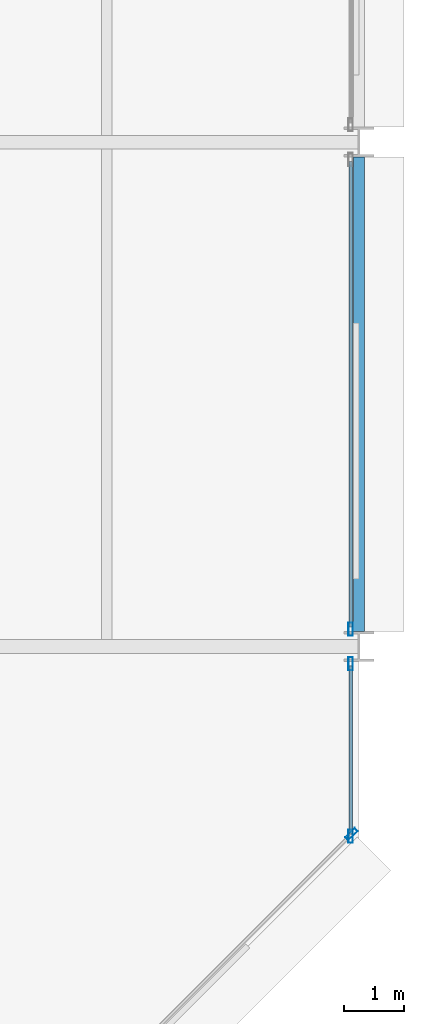
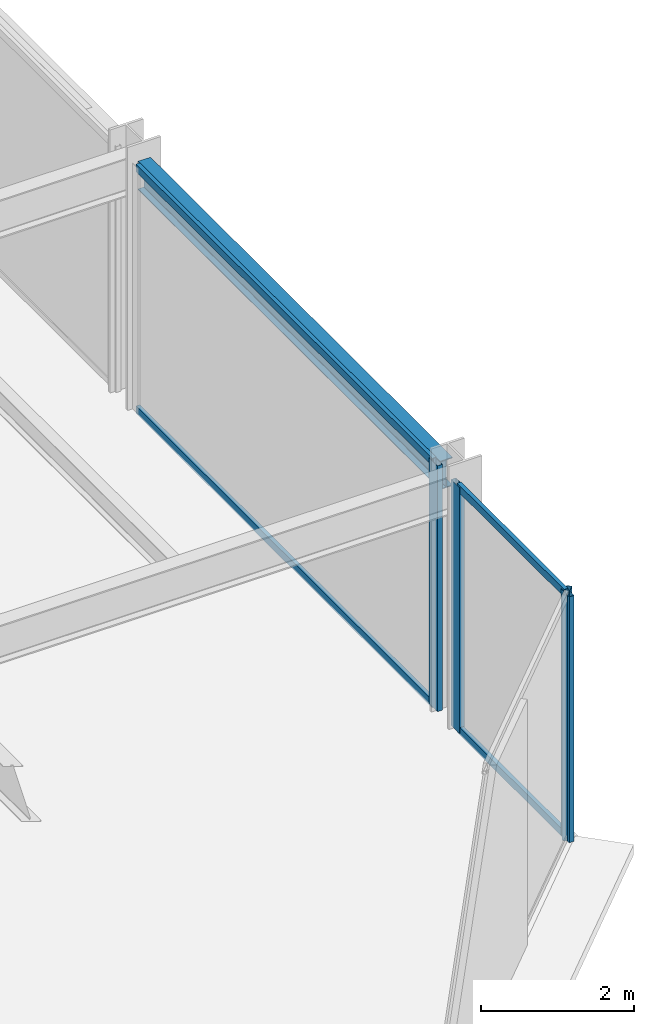
# One storey, part 11 of 25: 8 members, 1 beam, 3 elements without a shape of their own.
"""IFC4 building model written with IfcOpenShell, lengths in metres."""

import ifcopenshell
import ifcopenshell.guid

model = None  # the IFC model being written
_history = None  # IfcOwnerHistory: only IFC2X3 demands one
_inside = {}  # id of a spatial element -> (the spatial element, [elements in it])
_under = {}  # id of a project, library or spatial element -> (it, [spatial elements below it])
_declared = {}  # id of a project -> (the project, [libraries it declares])
_typed = {}  # id of a type object -> (the type object, [elements of that type])
_made_of = {}  # id of a material, layer set ... -> (it, [elements and type objects made of it])


def new_model(schema):
    """Start an empty IFC model of exactly this schema.

    Asked for "IFC4X3", IfcOpenShell would pick the latest addendum, in which some entities
    have other attributes; the version numbers below select the first issue.
    IFC2X3 requires an IfcOwnerHistory on every rooted entity: one is made here for all.
    """
    global model, _history
    if schema == "IFC4X3":
        model = ifcopenshell.file(schema_version=(4, 3, 0, 0))
    else:
        model = ifcopenshell.file(schema=schema)
    _inside.clear()
    _under.clear()
    _declared.clear()
    _typed.clear()
    _made_of.clear()
    _history = None
    if model.schema == "IFC2X3":
        org = make("IfcOrganization", Name="unknown")
        user = make(
            "IfcPersonAndOrganization",
            ThePerson=make("IfcPerson", FamilyName="unknown"),
            TheOrganization=org,
        )
        app = make(
            "IfcApplication",
            ApplicationDeveloper=org,
            Version="unknown",
            ApplicationFullName="unknown",
            ApplicationIdentifier="unknown",
        )
        _history = make(
            "IfcOwnerHistory",
            OwningUser=user,
            OwningApplication=app,
            ChangeAction="ADDED",
            CreationDate=0,
        )
    return model


def make(cls, **values):
    """One entity of the class cls with the attributes given. An attribute that is None is left unset."""
    return model.create_entity(
        cls, **{name: value for name, value in values.items() if value is not None}
    )


def rooted(cls, **values):
    """An entity with a GlobalId (a new one), such as an element, a storey or a relation."""
    return make(cls, GlobalId=ifcopenshell.guid.new(), OwnerHistory=_history, **values)


def si_unit(unit_type, name, prefix=None):
    """IfcSIUnit, for example si_unit("LENGTHUNIT", "METRE", prefix="MILLI")."""
    return make("IfcSIUnit", UnitType=unit_type, Prefix=prefix, Name=name)


def assignment(units):
    """IfcUnitAssignment: the units of a project."""
    return None if units is None else make("IfcUnitAssignment", Units=units)


def point(xyz):
    """IfcCartesianPoint."""
    return None if xyz is None else make("IfcCartesianPoint", Coordinates=xyz)


def direction(xyz):
    """IfcDirection."""
    return None if xyz is None else make("IfcDirection", DirectionRatios=xyz)


def frame(location, z_axis=None, x_axis=None):
    """IfcAxis2Placement3D, a coordinate frame: its origin and axes. An axis left out is left unset."""
    return make(
        "IfcAxis2Placement3D",
        Location=point(location),
        Axis=direction(z_axis),
        RefDirection=direction(x_axis),
    )


def frame_2d(location, x_axis=None):
    """IfcAxis2Placement2D, a coordinate frame in the plane: its origin and x axis."""
    return make(
        "IfcAxis2Placement2D", Location=point(location), RefDirection=direction(x_axis)
    )


def origin():
    """The frame at (0, 0, 0) with its axes left unset."""
    return frame((0.0, 0.0, 0.0))


def origin_2d():
    """The frame at (0, 0) in the plane with its x axis left unset."""
    return frame_2d((0.0, 0.0))


def place(relative_to, where):
    """IfcLocalPlacement: puts the frame where relative to a parent placement (None: the world)."""
    return make(
        "IfcLocalPlacement", PlacementRelTo=relative_to, RelativePlacement=where
    )


def context(
    kind, dimensions, precision=None, world=None, true_north=None, identifier=None
):
    """IfcGeometricRepresentationContext, for example the 3D "Model" context."""
    return make(
        "IfcGeometricRepresentationContext",
        ContextIdentifier=identifier,
        ContextType=kind,
        CoordinateSpaceDimension=dimensions,
        Precision=precision,
        WorldCoordinateSystem=world,
        TrueNorth=true_north,
    )


def subcontext(parent, identifier, kind, view, scale=None):
    """IfcGeometricRepresentationSubContext, for example "Body" below "Model"."""
    return make(
        "IfcGeometricRepresentationSubContext",
        ContextIdentifier=identifier,
        ContextType=kind,
        ParentContext=parent,
        TargetScale=scale,
        TargetView=view,
    )


def project(units=None, contexts=None):
    """IfcProject with its units and contexts."""
    return rooted(
        "IfcProject",
        Name="project",
        RepresentationContexts=contexts,
        UnitsInContext=assignment(units),
    )


def spatial(cls, under=None, at=None, **own):
    """A site, building, storey or space (cls), placed at a placement, below another one or the project."""
    s = rooted(cls, ObjectPlacement=at, **own)
    if under is not None:
        _under.setdefault(under.id(), (under, []))[1].append(s)
    return s


def profile(cls, at=None, kind="AREA", **sizes):
    """A parametric profile (cls). Its sizes go by their IFC names, for example OverallWidth=200.0."""
    return make(cls, ProfileType=kind, Position=at, **sizes)


def hollow_rectangle(**sizes):
    """IfcRectangleHollowProfileDef."""
    return profile("IfcRectangleHollowProfileDef", **sizes)


def i_section(**sizes):
    """IfcIShapeProfileDef."""
    return profile("IfcIShapeProfileDef", **sizes)


def extrude(swept, where, along, depth):
    """IfcExtrudedAreaSolid: the profile swept, set in the frame where, extruded along a direction by depth."""
    return make(
        "IfcExtrudedAreaSolid",
        SweptArea=swept,
        Position=where,
        ExtrudedDirection=direction(along),
        Depth=depth,
    )


def shape(context_of_items, identifier, shape_type, items):
    """IfcShapeRepresentation: the items that make up one representation, for example the "Body"."""
    return make(
        "IfcShapeRepresentation",
        ContextOfItems=context_of_items,
        RepresentationIdentifier=identifier,
        RepresentationType=shape_type,
        Items=items,
    )


def material(Name=None, Category=None):
    """IfcMaterial."""
    return make("IfcMaterial", Name=Name, Category=Category)


def layer(
    of_material, thickness, ventilated=None, Name=None, Category=None, Priority=None
):
    """IfcMaterialLayer: one layer of a wall or slab, of a material (None: an air gap)."""
    return make(
        "IfcMaterialLayer",
        Material=of_material,
        LayerThickness=thickness,
        IsVentilated=ventilated,
        Name=Name,
        Category=Category,
        Priority=Priority,
    )


def layer_set(layers, Name=None):
    """IfcMaterialLayerSet."""
    return make("IfcMaterialLayerSet", MaterialLayers=layers, LayerSetName=Name)


def material_profile(
    of_material, cross_section, Name=None, Category=None, Priority=None
):
    """IfcMaterialProfile: a cross section and its material."""
    return make(
        "IfcMaterialProfile",
        Name=Name,
        Material=of_material,
        Profile=cross_section,
        Priority=Priority,
        Category=Category,
    )


def profile_set(profiles, Name=None, composite=None):
    """IfcMaterialProfileSet."""
    return make(
        "IfcMaterialProfileSet",
        Name=Name,
        MaterialProfiles=profiles,
        CompositeProfile=composite,
    )


def made_of(thing, what):
    """Note that an element or type object is made of a material, layer set ...; save() writes the relation."""
    if what is not None:
        _made_of.setdefault(what.id(), (what, []))[1].append(thing)
    return thing


def type_object(cls, material=None, **own):
    """A type object (cls), such as IfcWallType, which elements share."""
    return made_of(rooted(cls, **own), material)


def element(
    cls,
    number,
    at=None,
    inside=None,
    cuts=None,
    type_object=None,
    material=None,
    context=None,
    identifier="Body",
    shape_type=None,
    held_by="IfcProductDefinitionShape",
    body=None,
    shapes=None,
    **own,
):
    """One element of the class cls, such as IfcWall. Its Tag is "e" and its number.

    at: its placement. inside: the storey or other place that contains it. cuts: it is an
    opening in that element (IfcRelVoidsElement). A single representation is given by context,
    identifier, shape_type and body (its items); several are given by shapes. held_by: the class
    of the entity that holds the representations. save() writes the other relations.
    """
    e = rooted(cls, Tag="e%d" % number, ObjectPlacement=at, **own)
    if body is not None:
        shapes = [shape(context, identifier, shape_type, body)]
    if shapes is not None:
        e.Representation = make(held_by, Representations=shapes)
    if inside is not None:
        _inside.setdefault(inside.id(), (inside, []))[1].append(e)
    if cuts is not None:
        rooted(
            "IfcRelVoidsElement", RelatingBuildingElement=cuts, RelatedOpeningElement=e
        )
    if type_object is not None:
        _typed.setdefault(type_object.id(), (type_object, []))[1].append(e)
    return made_of(e, material)


def aggregate(whole, parts):
    """IfcRelAggregates: a whole, such as a stair, and the parts it consists of."""
    return rooted("IfcRelAggregates", RelatingObject=whole, RelatedObjects=parts)


def save(model, path):
    """Write the relations noted so far, then the file.

    IfcRelAggregates (storeys below a building ...), IfcRelContainedInSpatialStructure (elements
    in a storey), IfcRelDefinesByType, IfcRelAssociatesMaterial and IfcRelDeclares: one each for
    every whole, place, type object, material and project.
    """
    for whole, parts in _under.values():
        aggregate(whole, parts)
    for where, things in _inside.values():
        rooted(
            "IfcRelContainedInSpatialStructure",
            RelatedElements=things,
            RelatingStructure=where,
        )
    for kind, things in _typed.values():
        rooted("IfcRelDefinesByType", RelatedObjects=things, RelatingType=kind)
    for what, things in _made_of.values():
        rooted("IfcRelAssociatesMaterial", RelatedObjects=things, RelatingMaterial=what)
    for by, libraries in _declared.values():
        rooted("IfcRelDeclares", RelatingContext=by, RelatedDefinitions=libraries)
    model.write(path)


model = new_model("IFC4")

# Units and contexts
model_context = context("Model", 3, precision=1e-05, world=origin(), true_north=direction((0.0, 1.0)))
body_context = subcontext(model_context, "Body", "Model", "MODEL_VIEW")
ifc_project = project(units=[si_unit("LENGTHUNIT", "METRE"), si_unit("AREAUNIT", "SQUARE_METRE"), si_unit("VOLUMEUNIT", "CUBIC_METRE"), si_unit("PLANEANGLEUNIT", "RADIAN"), si_unit("MASSUNIT", "GRAM", prefix="KILO")], contexts=[model_context])

# Site, building, storey
site_placement = place(None, origin())
site = spatial("IfcSite", under=ifc_project, at=site_placement, CompositionType="ELEMENT")
building_placement = place(site_placement, origin())
building = spatial("IfcBuilding", under=site, at=building_placement, Name="Nerrivon Quay Data Exchange", CompositionType="ELEMENT")
storey_placement = place(building_placement, frame((0.0, 0.0, 41.60009765625)))
storey = spatial("IfcBuildingStorey", under=building, at=storey_placement, Name="L09", CompositionType="ELEMENT", Elevation=41.60009765625)

# Beam
ifc_material_1 = material(Name="Steel Grade 350", Category="steel")
ifc_material_profile_1 = material_profile(ifc_material_1, i_section(OverallWidth=0.18994140625, OverallDepth=0.4541015625, WebThickness=0.008544921875, FlangeThickness=0.0126953125, FilletRadius=0.011474609375, at=origin_2d()), Name="460UB67.1")
ifc_profile_set_1 = profile_set([ifc_material_profile_1], Name="Steel Grade 350")
beam_type = type_object("IfcBeamType", Name="BM-SP1-460UB67", PredefinedType="SPANDREL", material=ifc_profile_set_1)
beam_placement = place(storey_placement, frame((50.39990234375, 8.64990234375, 3.697998046875), z_axis=(0.0, 1.0, 0.0), x_axis=(-1.0, 0.0, 0.0)))
element("IfcBeam", 1, at=beam_placement, inside=storey, type_object=beam_type, Name="L09 NS Girder X=50.4 (8.4..16.8)", PredefinedType="SPANDREL", context=body_context, shape_type="SweptSolid", body=[
    extrude(i_section(OverallWidth=0.18994140625, OverallDepth=0.4541015625, WebThickness=0.008544921875, FlangeThickness=0.0126953125, FilletRadius=0.011474609375, at=origin_2d()), origin(), (0.0, 0.0, 1.0), 7.900146484375),
])

# Curtain wall, member
ifc_material_2 = material(Name="Anodised aluminium 6063-T6", Category="aluminium")
ifc_layer = layer(ifc_material_2, 0.219970703125)
ifc_layer_set = layer_set([ifc_layer], Name="Anodised aluminium 6063-T6")
curtain_wall_type = type_object("IfcCurtainWallType", Name="CW-SYS-01", PredefinedType="NOTDEFINED", material=ifc_layer_set)
curtain_wall_1_placement = place(storey_placement, origin())
curtain_wall_1 = element("IfcCurtainWall", 2, at=curtain_wall_1_placement, inside=storey, type_object=curtain_wall_type, Name="L09 Unitised Curtain Wall 1", PredefinedType="NOTDEFINED")
ifc_material_profile_2 = material_profile(ifc_material_2, hollow_rectangle(XDim=0.074951171875, YDim=0.219970703125, WallThickness=0.00390625, at=origin_2d()), Name="ALU-MULL-220x75")
ifc_profile_set_2 = profile_set([ifc_material_profile_2], Name="Anodised aluminium 6063-T6")
member_type_1 = type_object("IfcMemberType", Name="CWM-220x75", PredefinedType="MULLION", material=ifc_profile_set_2)
member_1_placement = place(storey_placement, frame((50.2744140625, 5.2724609375, 0.0), z_axis=(0.0, 0.0, 1.0), x_axis=(0.707106781187, -0.707106781187, 0.0)))
member_1 = element("IfcMember", 3, at=member_1_placement, type_object=member_type_1, Name="CW01 mullion 1", PredefinedType="MULLION", context=body_context, shape_type="SweptSolid", body=[
    extrude(hollow_rectangle(XDim=0.074951171875, YDim=0.219970703125, WallThickness=0.00390625, at=origin_2d()), origin(), (0.0, 0.0, 1.0), 3.9248046875),
])
aggregate(curtain_wall_1, [member_1])

curtain_wall_2_placement = place(storey_placement, origin())
curtain_wall_2 = element("IfcCurtainWall", 4, at=curtain_wall_2_placement, inside=storey, type_object=curtain_wall_type, Name="L09 Unitised Curtain Wall 32", PredefinedType="NOTDEFINED")
member_2_placement = place(storey_placement, frame((50.260009765625, 8.6875, 0.0), z_axis=(0.0, 0.0, 1.0), x_axis=(1.0, 0.0, 0.0)))
member_2 = element("IfcMember", 5, at=member_2_placement, type_object=member_type_1, Name="CW01 mullion 2", PredefinedType="MULLION", context=body_context, shape_type="SweptSolid", body=[
    extrude(hollow_rectangle(XDim=0.074951171875, YDim=0.219970703125, WallThickness=0.00390625, at=origin_2d()), origin(), (0.0, 0.0, 1.0), 3.9248046875),
])

# Curtain wall, members
curtain_wall_3_placement = place(storey_placement, origin())
curtain_wall_3 = element("IfcCurtainWall", 6, at=curtain_wall_3_placement, inside=storey, type_object=curtain_wall_type, Name="L09 Unitised Curtain Wall 33", PredefinedType="NOTDEFINED")
member_3_placement = place(storey_placement, frame((50.260009765625, 8.112548828125, 0.0), z_axis=(0.0, 0.0, 1.0), x_axis=(1.0, 0.0, 0.0)))
member_3 = element("IfcMember", 7, at=member_3_placement, type_object=member_type_1, Name="CW01 mullion 1", PredefinedType="MULLION", context=body_context, shape_type="SweptSolid", body=[
    extrude(hollow_rectangle(XDim=0.074951171875, YDim=0.219970703125, WallThickness=0.00390625, at=origin_2d()), origin(), (0.0, 0.0, 1.0), 3.9248046875),
])
member_4_placement = place(storey_placement, frame((50.260009765625, 5.237548828125, 0.0), z_axis=(0.0, 0.0, 1.0), x_axis=(1.0, 0.0, 0.0)))
member_4 = element("IfcMember", 8, at=member_4_placement, type_object=member_type_1, Name="CW01 mullion 2", PredefinedType="MULLION", context=body_context, shape_type="SweptSolid", body=[
    extrude(hollow_rectangle(XDim=0.074951171875, YDim=0.219970703125, WallThickness=0.00390625, at=origin_2d()), origin(), (0.0, 0.0, 1.0), 3.9248046875),
])

# Member
ifc_material_profile_3 = material_profile(ifc_material_2, hollow_rectangle(XDim=0.06005859375, YDim=0.1201171875, WallThickness=0.003173828125, at=origin_2d()), Name="ALU-TRAN-120x60")
ifc_profile_set_3 = profile_set([ifc_material_profile_3], Name="Anodised aluminium 6063-T6")
member_type_2 = type_object("IfcMemberType", Name="CWT-120x60", PredefinedType="USERDEFINED", material=ifc_profile_set_3)
member_5_placement = place(storey_placement, frame((50.260009765625, 16.47509765625, 0.032470703125), z_axis=(0.0, -1.0, 0.0), x_axis=(1.0, 0.0, 0.0)))
member_5 = element("IfcMember", 9, at=member_5_placement, type_object=member_type_2, Name="CW01 transom 1.1", ObjectType="TRANSOM", PredefinedType="USERDEFINED", context=body_context, shape_type="SweptSolid", body=[
    extrude(hollow_rectangle(XDim=0.06005859375, YDim=0.1201171875, WallThickness=0.003173828125, at=origin_2d()), origin(), (0.0, 0.0, 1.0), 7.75),
])

member_6_placement = place(storey_placement, frame((50.260009765625, 16.47509765625, 3.892333984375), z_axis=(0.0, -1.0, 0.0), x_axis=(1.0, 0.0, 0.0)))
member_6 = element("IfcMember", 10, at=member_6_placement, type_object=member_type_2, Name="CW01 transom 1.2", ObjectType="TRANSOM", PredefinedType="USERDEFINED", context=body_context, shape_type="SweptSolid", body=[
    extrude(hollow_rectangle(XDim=0.06005859375, YDim=0.1201171875, WallThickness=0.003173828125, at=origin_2d()), origin(), (0.0, 0.0, 1.0), 7.75),
])

aggregate(curtain_wall_2, [member_2, member_5, member_6])

member_7_placement = place(storey_placement, frame((50.260009765625, 8.074951171875, 0.032470703125), z_axis=(0.0, -1.0, 0.0), x_axis=(1.0, 0.0, 0.0)))
member_7 = element("IfcMember", 11, at=member_7_placement, type_object=member_type_2, Name="CW01 transom 1.1", ObjectType="TRANSOM", PredefinedType="USERDEFINED", context=body_context, shape_type="SweptSolid", body=[
    extrude(hollow_rectangle(XDim=0.06005859375, YDim=0.1201171875, WallThickness=0.003173828125, at=origin_2d()), origin(), (0.0, 0.0, 1.0), 2.800048828125),
])

member_8_placement = place(storey_placement, frame((50.260009765625, 8.074951171875, 3.892333984375), z_axis=(0.0, -1.0, 0.0), x_axis=(1.0, 0.0, 0.0)))
member_8 = element("IfcMember", 12, at=member_8_placement, type_object=member_type_2, Name="CW01 transom 1.2", ObjectType="TRANSOM", PredefinedType="USERDEFINED", context=body_context, shape_type="SweptSolid", body=[
    extrude(hollow_rectangle(XDim=0.06005859375, YDim=0.1201171875, WallThickness=0.003173828125, at=origin_2d()), origin(), (0.0, 0.0, 1.0), 2.800048828125),
])

aggregate(curtain_wall_3, [member_3, member_4, member_7, member_8])

save(model, "model.ifc")
